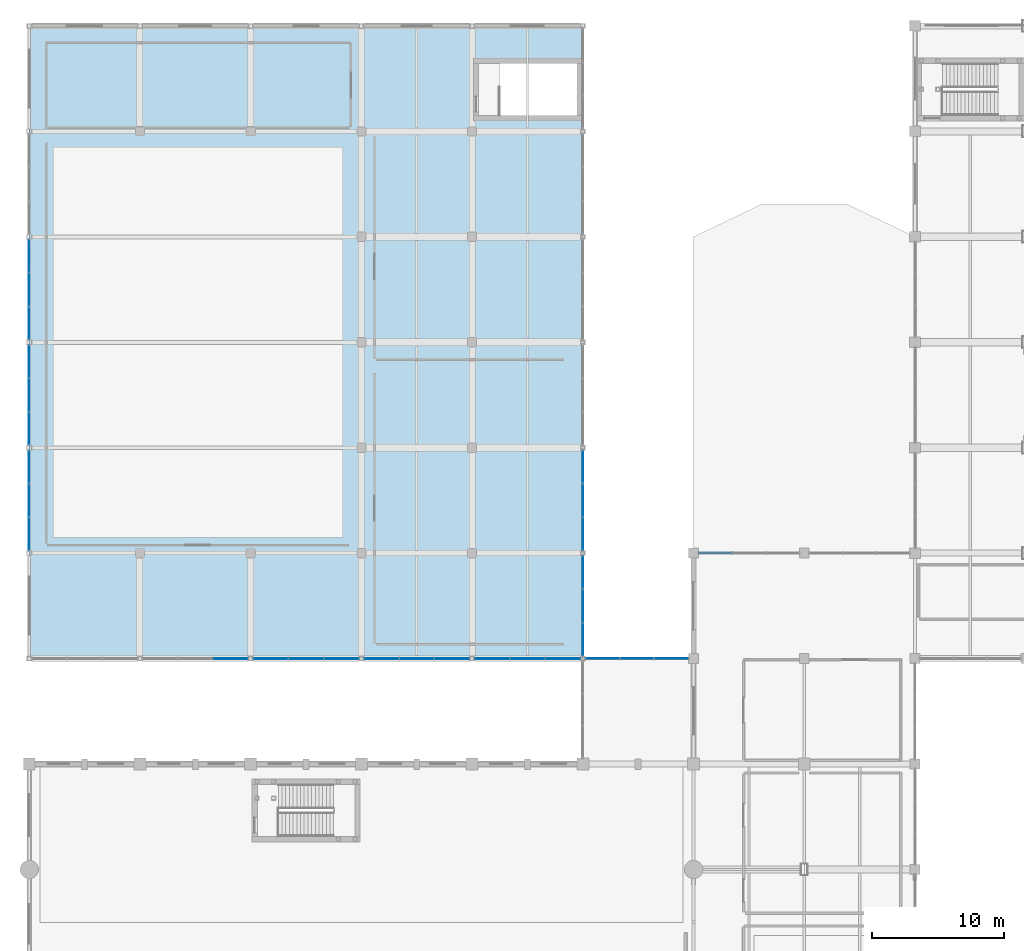
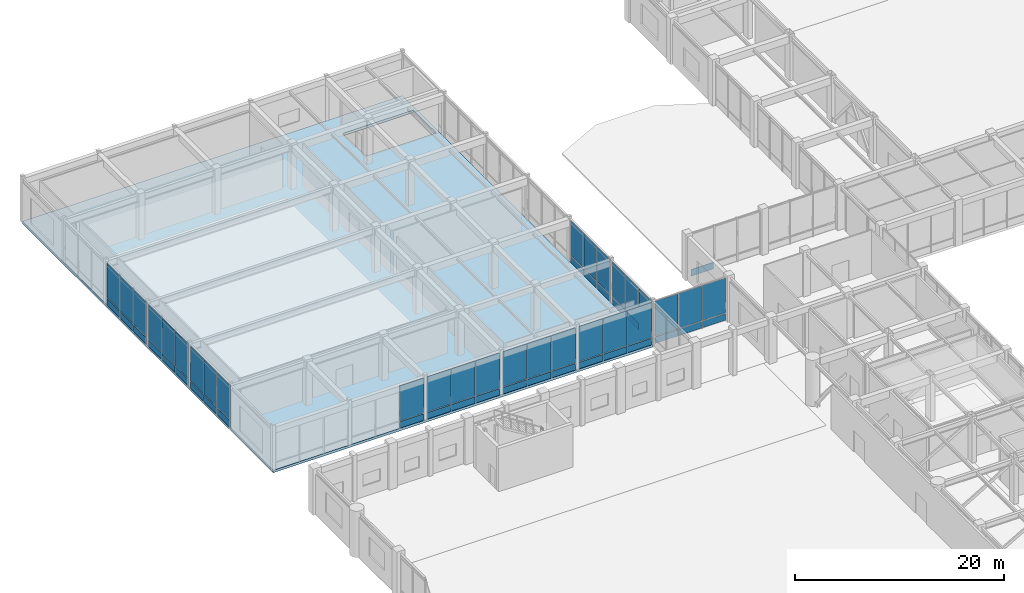
# One storey, part 51 of 79: 57 plates, 1 slab, 11 elements without a shape of their own.
"""IFC4 building model written with IfcOpenShell, lengths in metres."""

from ifc_helpers import new_model, si_unit, direction, frame, origin, origin_2d, place, context, subcontext, project, spatial, polyline, rectangle, outline, extrude, material, layer, layer_set, type_object, element, aggregate, save


model = new_model("IFC4")

# Units and contexts
model_context = context("Model", 3, precision=1e-05, world=origin(), true_north=direction((0.0, 1.0)))
body_context = subcontext(model_context, "Body", "Model", "MODEL_VIEW")
ifc_project = project(units=[si_unit("LENGTHUNIT", "METRE"), si_unit("AREAUNIT", "SQUARE_METRE"), si_unit("VOLUMEUNIT", "CUBIC_METRE"), si_unit("PLANEANGLEUNIT", "RADIAN"), si_unit("MASSUNIT", "GRAM", prefix="KILO")], contexts=[model_context])

# Site, building, storey
site_placement = place(None, origin())
site = spatial("IfcSite", under=ifc_project, at=site_placement, CompositionType="ELEMENT")
building_placement = place(site_placement, origin())
building = spatial("IfcBuilding", under=site, at=building_placement, Name="Naruveol Harbour Congress Hotel", CompositionType="ELEMENT")
storey_placement = place(building_placement, frame((0.0, 0.0, 6.0)))
storey = spatial("IfcBuildingStorey", under=building, at=storey_placement, Name="L01", CompositionType="ELEMENT", Elevation=6.0)

# Curtain wall, plates
ifc_material_1 = material(Name="Low-E Curtain Wall System", Category="glass")
ifc_layer_1 = layer(ifc_material_1, 0.179931640625)
ifc_layer_set_1 = layer_set([ifc_layer_1], Name="Low-E Curtain Wall System")
curtain_wall_type_1 = type_object("IfcCurtainWallType", Name="UNITISED CURTAIN WALL CW-SPLN-10 7850X5100", PredefinedType="USERDEFINED", material=ifc_layer_set_1)
curtain_wall_1_placement = place(storey_placement, origin())
curtain_wall_1 = element("IfcCurtainWall", 1, at=curtain_wall_1_placement, inside=storey, type_object=curtain_wall_type_1, Name="Unitised curtain wall CW-SPLN-10 L01", ObjectType="UNITISED GLAZING", PredefinedType="USERDEFINED")
ifc_material_2 = material(Name="Anodised Aluminium Spandrel", Category="aluminium")
ifc_layer_2 = layer(ifc_material_2, 0.054931640625)
ifc_layer_set_2 = layer_set([ifc_layer_2], Name="Anodised Aluminium Spandrel")
plate_type_1 = type_object("IfcPlateType", Name="INSULATED CERAMIC SPANDREL PANEL 55", PredefinedType="CURTAIN_PANEL", material=ifc_layer_set_2)
plate_1_placement = place(storey_placement, frame((43.4833984375, 64.010009765625, 0.0400390625), z_axis=(0.0, 0.0, 1.0), x_axis=(1.0, 0.0, 0.0)))
plate_1 = element("IfcPlate", 2, at=plate_1_placement, type_object=plate_type_1, Name="Curtain wall spandrel panel CW-L01-0011-PS0", PredefinedType="CURTAIN_PANEL", context=body_context, shape_type="SweptSolid", body=[
    extrude(rectangle(XDim=2.537109375, YDim=0.054931640625, at=origin_2d()), origin(), (0.0, 0.0, 1.0), 0.77001953125),
])
plate_2_placement = place(storey_placement, frame((46.10009765625, 64.010009765625, 0.0400390625), z_axis=(0.0, 0.0, 1.0), x_axis=(1.0, 0.0, 0.0)))
plate_2 = element("IfcPlate", 3, at=plate_2_placement, type_object=plate_type_1, Name="Curtain wall spandrel panel CW-L01-0011-PS1", PredefinedType="CURTAIN_PANEL", context=body_context, shape_type="SweptSolid", body=[
    extrude(rectangle(XDim=2.537109375, YDim=0.054931640625, at=origin_2d()), origin(), (0.0, 0.0, 1.0), 0.77001953125),
])
plate_3_placement = place(storey_placement, frame((48.716796875, 64.010009765625, 0.0400390625), z_axis=(0.0, 0.0, 1.0), x_axis=(1.0, 0.0, 0.0)))
plate_3 = element("IfcPlate", 4, at=plate_3_placement, type_object=plate_type_1, Name="Curtain wall spandrel panel CW-L01-0011-PS2", PredefinedType="CURTAIN_PANEL", context=body_context, shape_type="SweptSolid", body=[
    extrude(rectangle(XDim=2.537109375, YDim=0.054931640625, at=origin_2d()), origin(), (0.0, 0.0, 1.0), 0.77001953125),
])

ifc_material_3 = material(Name="Low-E Curtain Wall System", Category="glass")
ifc_layer_3 = layer(ifc_material_3, 0.179931640625)
ifc_layer_set_3 = layer_set([ifc_layer_3], Name="Low-E Curtain Wall System")
curtain_wall_type_2 = type_object("IfcCurtainWallType", Name="UNITISED CURTAIN WALL CW-V3P-13 7650X5100", PredefinedType="USERDEFINED", material=ifc_layer_set_3)
curtain_wall_2_placement = place(storey_placement, origin())
curtain_wall_2 = element("IfcCurtainWall", 5, at=curtain_wall_2_placement, inside=storey, type_object=curtain_wall_type_2, Name="Unitised curtain wall CW-V3P-13 L01", ObjectType="UNITISED GLAZING", PredefinedType="USERDEFINED")
plate_4_placement = place(storey_placement, frame((-0.010009765625, 73.449951171875, 0.0400390625), z_axis=(0.0, 0.0, 1.0), x_axis=(0.0, 1.0, 0.0)))
plate_4 = element("IfcPlate", 6, at=plate_4_placement, type_object=plate_type_1, Name="Curtain wall spandrel panel CW-L01-0018-PS0", PredefinedType="CURTAIN_PANEL", context=body_context, shape_type="SweptSolid", body=[
    extrude(rectangle(XDim=2.469970703125, YDim=0.054931640625, at=origin_2d()), origin(), (0.0, 0.0, 1.0), 0.77001953125),
])
plate_5_placement = place(storey_placement, frame((-0.010009765625, 76.0, 0.0400390625), z_axis=(0.0, 0.0, 1.0), x_axis=(0.0, 1.0, 0.0)))
plate_5 = element("IfcPlate", 7, at=plate_5_placement, type_object=plate_type_1, Name="Curtain wall spandrel panel CW-L01-0018-PS1", PredefinedType="CURTAIN_PANEL", context=body_context, shape_type="SweptSolid", body=[
    extrude(rectangle(XDim=2.469970703125, YDim=0.054931640625, at=origin_2d()), origin(), (0.0, 0.0, 1.0), 0.77001953125),
])
plate_6_placement = place(storey_placement, frame((-0.010009765625, 78.550048828125, 0.0400390625), z_axis=(0.0, 0.0, 1.0), x_axis=(0.0, 1.0, 0.0)))
plate_6 = element("IfcPlate", 8, at=plate_6_placement, type_object=plate_type_1, Name="Curtain wall spandrel panel CW-L01-0018-PS2", PredefinedType="CURTAIN_PANEL", context=body_context, shape_type="SweptSolid", body=[
    extrude(rectangle(XDim=2.469970703125, YDim=0.054931640625, at=origin_2d()), origin(), (0.0, 0.0, 1.0), 0.77001953125),
])

curtain_wall_3_placement = place(storey_placement, origin())
curtain_wall_3 = element("IfcCurtainWall", 9, at=curtain_wall_3_placement, inside=storey, type_object=curtain_wall_type_2, Name="Unitised curtain wall CW-V3P-13 L01", ObjectType="UNITISED GLAZING", PredefinedType="USERDEFINED")
plate_7_placement = place(storey_placement, frame((-0.010009765625, 81.449951171875, 0.0400390625), z_axis=(0.0, 0.0, 1.0), x_axis=(0.0, 1.0, 0.0)))
plate_7 = element("IfcPlate", 10, at=plate_7_placement, type_object=plate_type_1, Name="Curtain wall spandrel panel CW-L01-0019-PS0", PredefinedType="CURTAIN_PANEL", context=body_context, shape_type="SweptSolid", body=[
    extrude(rectangle(XDim=2.469970703125, YDim=0.054931640625, at=origin_2d()), origin(), (0.0, 0.0, 1.0), 0.77001953125),
])
plate_8_placement = place(storey_placement, frame((-0.010009765625, 84.0, 0.0400390625), z_axis=(0.0, 0.0, 1.0), x_axis=(0.0, 1.0, 0.0)))
plate_8 = element("IfcPlate", 11, at=plate_8_placement, type_object=plate_type_1, Name="Curtain wall spandrel panel CW-L01-0019-PS1", PredefinedType="CURTAIN_PANEL", context=body_context, shape_type="SweptSolid", body=[
    extrude(rectangle(XDim=2.469970703125, YDim=0.054931640625, at=origin_2d()), origin(), (0.0, 0.0, 1.0), 0.77001953125),
])
plate_9_placement = place(storey_placement, frame((-0.010009765625, 86.550048828125, 0.0400390625), z_axis=(0.0, 0.0, 1.0), x_axis=(0.0, 1.0, 0.0)))
plate_9 = element("IfcPlate", 12, at=plate_9_placement, type_object=plate_type_1, Name="Curtain wall spandrel panel CW-L01-0019-PS2", PredefinedType="CURTAIN_PANEL", context=body_context, shape_type="SweptSolid", body=[
    extrude(rectangle(XDim=2.469970703125, YDim=0.054931640625, at=origin_2d()), origin(), (0.0, 0.0, 1.0), 0.77001953125),
])

curtain_wall_4_placement = place(storey_placement, origin())
curtain_wall_4 = element("IfcCurtainWall", 13, at=curtain_wall_4_placement, inside=storey, type_object=curtain_wall_type_2, Name="Unitised curtain wall CW-V3P-13 L01", ObjectType="UNITISED GLAZING", PredefinedType="USERDEFINED")
plate_10_placement = place(storey_placement, frame((-0.010009765625, 89.449951171875, 0.0400390625), z_axis=(0.0, 0.0, 1.0), x_axis=(0.0, 1.0, 0.0)))
plate_10 = element("IfcPlate", 14, at=plate_10_placement, type_object=plate_type_1, Name="Curtain wall spandrel panel CW-L01-0020-PS0", PredefinedType="CURTAIN_PANEL", context=body_context, shape_type="SweptSolid", body=[
    extrude(rectangle(XDim=2.469970703125, YDim=0.054931640625, at=origin_2d()), origin(), (0.0, 0.0, 1.0), 0.77001953125),
])
plate_11_placement = place(storey_placement, frame((-0.010009765625, 92.0, 0.0400390625), z_axis=(0.0, 0.0, 1.0), x_axis=(0.0, 1.0, 0.0)))
plate_11 = element("IfcPlate", 15, at=plate_11_placement, type_object=plate_type_1, Name="Curtain wall spandrel panel CW-L01-0020-PS1", PredefinedType="CURTAIN_PANEL", context=body_context, shape_type="SweptSolid", body=[
    extrude(rectangle(XDim=2.469970703125, YDim=0.054931640625, at=origin_2d()), origin(), (0.0, 0.0, 1.0), 0.77001953125),
])
plate_12_placement = place(storey_placement, frame((-0.010009765625, 94.550048828125, 0.0400390625), z_axis=(0.0, 0.0, 1.0), x_axis=(0.0, 1.0, 0.0)))
plate_12 = element("IfcPlate", 16, at=plate_12_placement, type_object=plate_type_1, Name="Curtain wall spandrel panel CW-L01-0020-PS2", PredefinedType="CURTAIN_PANEL", context=body_context, shape_type="SweptSolid", body=[
    extrude(rectangle(XDim=2.469970703125, YDim=0.054931640625, at=origin_2d()), origin(), (0.0, 0.0, 1.0), 0.77001953125),
])

ifc_material_4 = material(Name="Low-E Curtain Wall System", Category="glass")
ifc_layer_4 = layer(ifc_material_4, 0.179931640625)
ifc_layer_set_4 = layer_set([ifc_layer_4], Name="Low-E Curtain Wall System")
curtain_wall_type_3 = type_object("IfcCurtainWallType", Name="UNITISED CURTAIN WALL CW-V3S-14 8050X5100", PredefinedType="USERDEFINED", material=ifc_layer_set_4)
curtain_wall_5_placement = place(storey_placement, origin())
curtain_wall_5 = element("IfcCurtainWall", 17, at=curtain_wall_5_placement, inside=storey, type_object=curtain_wall_type_3, Name="Unitised curtain wall CW-V3S-14 L01", ObjectType="UNITISED GLAZING", PredefinedType="USERDEFINED")
plate_13_placement = place(storey_placement, frame((40.4833984375, 63.989990234375, 0.0400390625), z_axis=(0.0, 0.0, 1.0), x_axis=(-1.0, 0.0, 0.0)))
plate_13 = element("IfcPlate", 18, at=plate_13_placement, type_object=plate_type_1, Name="Curtain wall spandrel panel CW-L01-0022-PS0", PredefinedType="CURTAIN_PANEL", context=body_context, shape_type="SweptSolid", body=[
    extrude(rectangle(XDim=2.60302734375, YDim=0.054931640625, at=origin_2d()), origin(), (0.0, 0.0, 1.0), 0.77001953125),
])
plate_14_placement = place(storey_placement, frame((37.800048828125, 63.989990234375, 0.0400390625), z_axis=(0.0, 0.0, 1.0), x_axis=(-1.0, 0.0, 0.0)))
plate_14 = element("IfcPlate", 19, at=plate_14_placement, type_object=plate_type_1, Name="Curtain wall spandrel panel CW-L01-0022-PS1", PredefinedType="CURTAIN_PANEL", context=body_context, shape_type="SweptSolid", body=[
    extrude(rectangle(XDim=2.60302734375, YDim=0.054931640625, at=origin_2d()), origin(), (0.0, 0.0, 1.0), 0.77001953125),
])
plate_15_placement = place(storey_placement, frame((35.11669921875, 63.989990234375, 0.0400390625), z_axis=(0.0, 0.0, 1.0), x_axis=(-1.0, 0.0, 0.0)))
plate_15 = element("IfcPlate", 20, at=plate_15_placement, type_object=plate_type_1, Name="Curtain wall spandrel panel CW-L01-0022-PS2", PredefinedType="CURTAIN_PANEL", context=body_context, shape_type="SweptSolid", body=[
    extrude(rectangle(XDim=2.60302734375, YDim=0.054931640625, at=origin_2d()), origin(), (0.0, 0.0, 1.0), 0.77001953125),
])

curtain_wall_6_placement = place(storey_placement, origin())
curtain_wall_6 = element("IfcCurtainWall", 21, at=curtain_wall_6_placement, inside=storey, type_object=curtain_wall_type_3, Name="Unitised curtain wall CW-V3S-14 L01", ObjectType="UNITISED GLAZING", PredefinedType="USERDEFINED")
plate_16_placement = place(storey_placement, frame((32.083251953125, 63.989990234375, 0.0400390625), z_axis=(0.0, 0.0, 1.0), x_axis=(-1.0, 0.0, 0.0)))
plate_16 = element("IfcPlate", 22, at=plate_16_placement, type_object=plate_type_1, Name="Curtain wall spandrel panel CW-L01-0023-PS0", PredefinedType="CURTAIN_PANEL", context=body_context, shape_type="SweptSolid", body=[
    extrude(rectangle(XDim=2.60302734375, YDim=0.054931640625, at=origin_2d()), origin(), (0.0, 0.0, 1.0), 0.77001953125),
])
plate_17_placement = place(storey_placement, frame((29.39990234375, 63.989990234375, 0.0400390625), z_axis=(0.0, 0.0, 1.0), x_axis=(-1.0, 0.0, 0.0)))
plate_17 = element("IfcPlate", 23, at=plate_17_placement, type_object=plate_type_1, Name="Curtain wall spandrel panel CW-L01-0023-PS1", PredefinedType="CURTAIN_PANEL", context=body_context, shape_type="SweptSolid", body=[
    extrude(rectangle(XDim=2.60302734375, YDim=0.054931640625, at=origin_2d()), origin(), (0.0, 0.0, 1.0), 0.77001953125),
])
plate_18_placement = place(storey_placement, frame((26.716796875, 63.989990234375, 0.0400390625), z_axis=(0.0, 0.0, 1.0), x_axis=(-1.0, 0.0, 0.0)))
plate_18 = element("IfcPlate", 24, at=plate_18_placement, type_object=plate_type_1, Name="Curtain wall spandrel panel CW-L01-0023-PS2", PredefinedType="CURTAIN_PANEL", context=body_context, shape_type="SweptSolid", body=[
    extrude(rectangle(XDim=2.60302734375, YDim=0.054931640625, at=origin_2d()), origin(), (0.0, 0.0, 1.0), 0.77001953125),
])

curtain_wall_7_placement = place(storey_placement, origin())
curtain_wall_7 = element("IfcCurtainWall", 25, at=curtain_wall_7_placement, inside=storey, type_object=curtain_wall_type_3, Name="Unitised curtain wall CW-V3S-14 L01", ObjectType="UNITISED GLAZING", PredefinedType="USERDEFINED")
plate_19_placement = place(storey_placement, frame((23.683349609375, 63.989990234375, 0.0400390625), z_axis=(0.0, 0.0, 1.0), x_axis=(-1.0, 0.0, 0.0)))
plate_19 = element("IfcPlate", 26, at=plate_19_placement, type_object=plate_type_1, Name="Curtain wall spandrel panel CW-L01-0024-PS0", PredefinedType="CURTAIN_PANEL", context=body_context, shape_type="SweptSolid", body=[
    extrude(rectangle(XDim=2.60302734375, YDim=0.054931640625, at=origin_2d()), origin(), (0.0, 0.0, 1.0), 0.77001953125),
])
plate_20_placement = place(storey_placement, frame((21.0, 63.989990234375, 0.0400390625), z_axis=(0.0, 0.0, 1.0), x_axis=(-1.0, 0.0, 0.0)))
plate_20 = element("IfcPlate", 27, at=plate_20_placement, type_object=plate_type_1, Name="Curtain wall spandrel panel CW-L01-0024-PS1", PredefinedType="CURTAIN_PANEL", context=body_context, shape_type="SweptSolid", body=[
    extrude(rectangle(XDim=2.60302734375, YDim=0.054931640625, at=origin_2d()), origin(), (0.0, 0.0, 1.0), 0.77001953125),
])
plate_21_placement = place(storey_placement, frame((18.316650390625, 63.989990234375, 0.0400390625), z_axis=(0.0, 0.0, 1.0), x_axis=(-1.0, 0.0, 0.0)))
plate_21 = element("IfcPlate", 28, at=plate_21_placement, type_object=plate_type_1, Name="Curtain wall spandrel panel CW-L01-0024-PS2", PredefinedType="CURTAIN_PANEL", context=body_context, shape_type="SweptSolid", body=[
    extrude(rectangle(XDim=2.60302734375, YDim=0.054931640625, at=origin_2d()), origin(), (0.0, 0.0, 1.0), 0.77001953125),
])

# Curtain wall, plate
curtain_wall_8_placement = place(storey_placement, origin())
curtain_wall_8 = element("IfcCurtainWall", 29, at=curtain_wall_8_placement, inside=storey, type_object=curtain_wall_type_3, Name="Unitised curtain wall CW-V3S-14 L01", ObjectType="UNITISED GLAZING", PredefinedType="USERDEFINED")
plate_22_placement = place(storey_placement, frame((15.283203125, 63.989990234375, 0.0400390625), z_axis=(0.0, 0.0, 1.0), x_axis=(-1.0, 0.0, 0.0)))
plate_22 = element("IfcPlate", 30, at=plate_22_placement, type_object=plate_type_1, Name="Curtain wall spandrel panel CW-L01-0025-PS0", PredefinedType="CURTAIN_PANEL", context=body_context, shape_type="SweptSolid", body=[
    extrude(rectangle(XDim=2.60302734375, YDim=0.054931640625, at=origin_2d()), origin(), (0.0, 0.0, 1.0), 0.77001953125),
])

# Curtain wall, plates
ifc_material_5 = material(Name="Low-E Curtain Wall System", Category="glass")
ifc_layer_5 = layer(ifc_material_5, 0.179931640625)
ifc_layer_set_5 = layer_set([ifc_layer_5], Name="Low-E Curtain Wall System")
curtain_wall_type_4 = type_object("IfcCurtainWallType", Name="UNITISED CURTAIN WALL CW-V3E-15 7650X5100", PredefinedType="USERDEFINED", material=ifc_layer_set_5)
curtain_wall_9_placement = place(storey_placement, origin())
curtain_wall_9 = element("IfcCurtainWall", 31, at=curtain_wall_9_placement, inside=storey, type_object=curtain_wall_type_4, Name="Unitised curtain wall CW-V3E-15 L01", ObjectType="UNITISED GLAZING", PredefinedType="USERDEFINED")
plate_23_placement = place(storey_placement, frame((42.010009765625, 70.550048828125, 0.0400390625), z_axis=(0.0, 0.0, 1.0), x_axis=(0.0, -1.0, 0.0)))
plate_23 = element("IfcPlate", 32, at=plate_23_placement, type_object=plate_type_1, Name="Curtain wall spandrel panel CW-L01-0027-PS0", PredefinedType="CURTAIN_PANEL", context=body_context, shape_type="SweptSolid", body=[
    extrude(rectangle(XDim=2.469970703125, YDim=0.054931640625, at=origin_2d()), origin(), (0.0, 0.0, 1.0), 0.77001953125),
])
plate_24_placement = place(storey_placement, frame((42.010009765625, 68.0, 0.0400390625), z_axis=(0.0, 0.0, 1.0), x_axis=(0.0, -1.0, 0.0)))
plate_24 = element("IfcPlate", 33, at=plate_24_placement, type_object=plate_type_1, Name="Curtain wall spandrel panel CW-L01-0027-PS1", PredefinedType="CURTAIN_PANEL", context=body_context, shape_type="SweptSolid", body=[
    extrude(rectangle(XDim=2.469970703125, YDim=0.054931640625, at=origin_2d()), origin(), (0.0, 0.0, 1.0), 0.77001953125),
])
plate_25_placement = place(storey_placement, frame((42.010009765625, 65.449951171875, 0.0400390625), z_axis=(0.0, 0.0, 1.0), x_axis=(0.0, -1.0, 0.0)))
plate_25 = element("IfcPlate", 34, at=plate_25_placement, type_object=plate_type_1, Name="Curtain wall spandrel panel CW-L01-0027-PS2", PredefinedType="CURTAIN_PANEL", context=body_context, shape_type="SweptSolid", body=[
    extrude(rectangle(XDim=2.469970703125, YDim=0.054931640625, at=origin_2d()), origin(), (0.0, 0.0, 1.0), 0.77001953125),
])

curtain_wall_10_placement = place(storey_placement, origin())
curtain_wall_10 = element("IfcCurtainWall", 35, at=curtain_wall_10_placement, inside=storey, type_object=curtain_wall_type_4, Name="Unitised curtain wall CW-V3E-15 L01", ObjectType="UNITISED GLAZING", PredefinedType="USERDEFINED")
plate_26_placement = place(storey_placement, frame((42.010009765625, 78.550048828125, 0.0400390625), z_axis=(0.0, 0.0, 1.0), x_axis=(0.0, -1.0, 0.0)))
plate_26 = element("IfcPlate", 36, at=plate_26_placement, type_object=plate_type_1, Name="Curtain wall spandrel panel CW-L01-0028-PS0", PredefinedType="CURTAIN_PANEL", context=body_context, shape_type="SweptSolid", body=[
    extrude(rectangle(XDim=2.469970703125, YDim=0.054931640625, at=origin_2d()), origin(), (0.0, 0.0, 1.0), 0.77001953125),
])
plate_27_placement = place(storey_placement, frame((42.010009765625, 76.0, 0.0400390625), z_axis=(0.0, 0.0, 1.0), x_axis=(0.0, -1.0, 0.0)))
plate_27 = element("IfcPlate", 37, at=plate_27_placement, type_object=plate_type_1, Name="Curtain wall spandrel panel CW-L01-0028-PS1", PredefinedType="CURTAIN_PANEL", context=body_context, shape_type="SweptSolid", body=[
    extrude(rectangle(XDim=2.469970703125, YDim=0.054931640625, at=origin_2d()), origin(), (0.0, 0.0, 1.0), 0.77001953125),
])
plate_28_placement = place(storey_placement, frame((42.010009765625, 73.449951171875, 0.0400390625), z_axis=(0.0, 0.0, 1.0), x_axis=(0.0, -1.0, 0.0)))
plate_28 = element("IfcPlate", 38, at=plate_28_placement, type_object=plate_type_1, Name="Curtain wall spandrel panel CW-L01-0028-PS2", PredefinedType="CURTAIN_PANEL", context=body_context, shape_type="SweptSolid", body=[
    extrude(rectangle(XDim=2.469970703125, YDim=0.054931640625, at=origin_2d()), origin(), (0.0, 0.0, 1.0), 0.77001953125),
])

# Curtain wall, plate
ifc_material_6 = material(Name="Low-E Curtain Wall System", Category="glass")
ifc_layer_6 = layer(ifc_material_6, 0.179931640625)
ifc_layer_set_6 = layer_set([ifc_layer_6], Name="Low-E Curtain Wall System")
curtain_wall_type_5 = type_object("IfcCurtainWallType", Name="UNITISED CURTAIN WALL CW-V4NF-32 7650X5100", PredefinedType="USERDEFINED", material=ifc_layer_set_6)
curtain_wall_11_placement = place(storey_placement, origin())
curtain_wall_11 = element("IfcCurtainWall", 39, at=curtain_wall_11_placement, inside=storey, type_object=curtain_wall_type_5, Name="Unitised curtain wall CW-V4NF-32 L01", ObjectType="UNITISED GLAZING", PredefinedType="USERDEFINED")
plate_29_placement = place(storey_placement, frame((52.050048828125, 72.010009765625, 0.0400390625), z_axis=(0.0, 0.0, 1.0), x_axis=(1.0, 0.0, 0.0)))
plate_29 = element("IfcPlate", 40, at=plate_29_placement, type_object=plate_type_1, Name="Curtain wall spandrel panel CW-L01-0076-PS0", PredefinedType="CURTAIN_PANEL", context=body_context, shape_type="SweptSolid", body=[
    extrude(rectangle(XDim=2.469970703125, YDim=0.054931640625, at=origin_2d()), origin(), (0.0, 0.0, 1.0), 0.77001953125),
])
aggregate(curtain_wall_11, [plate_29])

# Plate
ifc_material_7 = material(Name="Low-E Insulated Glass", Category="glass")
ifc_layer_7 = layer(ifc_material_7, 0.0419921875)
ifc_layer_set_7 = layer_set([ifc_layer_7], Name="Low-E Insulated Glass")
plate_type_2 = type_object("IfcPlateType", Name="LOW-E TRIPLE GLAZED CURTAIN PANEL 42", PredefinedType="CURTAIN_PANEL", material=ifc_layer_set_7)
plate_30_placement = place(storey_placement, frame((43.4833984375, 64.010009765625, 0.89013671875), z_axis=(0.0, 0.0, 1.0), x_axis=(1.0, 0.0, 0.0)))
plate_30 = element("IfcPlate", 41, at=plate_30_placement, type_object=plate_type_2, Name="Curtain wall vision panel CW-L01-0011-PG0", PredefinedType="CURTAIN_PANEL", context=body_context, shape_type="SweptSolid", body=[
    extrude(rectangle(XDim=2.537109375, YDim=0.0419921875, at=origin_2d()), origin(), (0.0, 0.0, 1.0), 4.090087890625),
])

plate_31_placement = place(storey_placement, frame((46.10009765625, 64.010009765625, 0.89013671875), z_axis=(0.0, 0.0, 1.0), x_axis=(1.0, 0.0, 0.0)))
plate_31 = element("IfcPlate", 42, at=plate_31_placement, type_object=plate_type_2, Name="Curtain wall vision panel CW-L01-0011-PG1", PredefinedType="CURTAIN_PANEL", context=body_context, shape_type="SweptSolid", body=[
    extrude(rectangle(XDim=2.537109375, YDim=0.0419921875, at=origin_2d()), origin(), (0.0, 0.0, 1.0), 4.090087890625),
])

plate_32_placement = place(storey_placement, frame((48.716796875, 64.010009765625, 0.89013671875), z_axis=(0.0, 0.0, 1.0), x_axis=(1.0, 0.0, 0.0)))
plate_32 = element("IfcPlate", 43, at=plate_32_placement, type_object=plate_type_2, Name="Curtain wall vision panel CW-L01-0011-PG2", PredefinedType="CURTAIN_PANEL", context=body_context, shape_type="SweptSolid", body=[
    extrude(rectangle(XDim=2.537109375, YDim=0.0419921875, at=origin_2d()), origin(), (0.0, 0.0, 1.0), 4.090087890625),
])

aggregate(curtain_wall_1, [plate_1, plate_30, plate_2, plate_31, plate_3, plate_32])

plate_33_placement = place(storey_placement, frame((-0.010009765625, 73.449951171875, 0.89013671875), z_axis=(0.0, 0.0, 1.0), x_axis=(0.0, 1.0, 0.0)))
plate_33 = element("IfcPlate", 44, at=plate_33_placement, type_object=plate_type_2, Name="Curtain wall vision panel CW-L01-0018-PG0", PredefinedType="CURTAIN_PANEL", context=body_context, shape_type="SweptSolid", body=[
    extrude(rectangle(XDim=2.469970703125, YDim=0.0419921875, at=origin_2d()), origin(), (0.0, 0.0, 1.0), 4.090087890625),
])

plate_34_placement = place(storey_placement, frame((-0.010009765625, 76.0, 0.89013671875), z_axis=(0.0, 0.0, 1.0), x_axis=(0.0, 1.0, 0.0)))
plate_34 = element("IfcPlate", 45, at=plate_34_placement, type_object=plate_type_2, Name="Curtain wall vision panel CW-L01-0018-PG1", PredefinedType="CURTAIN_PANEL", context=body_context, shape_type="SweptSolid", body=[
    extrude(rectangle(XDim=2.469970703125, YDim=0.0419921875, at=origin_2d()), origin(), (0.0, 0.0, 1.0), 4.090087890625),
])

plate_35_placement = place(storey_placement, frame((-0.010009765625, 78.550048828125, 0.89013671875), z_axis=(0.0, 0.0, 1.0), x_axis=(0.0, 1.0, 0.0)))
plate_35 = element("IfcPlate", 46, at=plate_35_placement, type_object=plate_type_2, Name="Curtain wall vision panel CW-L01-0018-PG2", PredefinedType="CURTAIN_PANEL", context=body_context, shape_type="SweptSolid", body=[
    extrude(rectangle(XDim=2.469970703125, YDim=0.0419921875, at=origin_2d()), origin(), (0.0, 0.0, 1.0), 4.090087890625),
])

aggregate(curtain_wall_2, [plate_4, plate_33, plate_5, plate_34, plate_6, plate_35])

plate_36_placement = place(storey_placement, frame((-0.010009765625, 81.449951171875, 0.89013671875), z_axis=(0.0, 0.0, 1.0), x_axis=(0.0, 1.0, 0.0)))
plate_36 = element("IfcPlate", 47, at=plate_36_placement, type_object=plate_type_2, Name="Curtain wall vision panel CW-L01-0019-PG0", PredefinedType="CURTAIN_PANEL", context=body_context, shape_type="SweptSolid", body=[
    extrude(rectangle(XDim=2.469970703125, YDim=0.0419921875, at=origin_2d()), origin(), (0.0, 0.0, 1.0), 4.090087890625),
])

plate_37_placement = place(storey_placement, frame((-0.010009765625, 84.0, 0.89013671875), z_axis=(0.0, 0.0, 1.0), x_axis=(0.0, 1.0, 0.0)))
plate_37 = element("IfcPlate", 48, at=plate_37_placement, type_object=plate_type_2, Name="Curtain wall vision panel CW-L01-0019-PG1", PredefinedType="CURTAIN_PANEL", context=body_context, shape_type="SweptSolid", body=[
    extrude(rectangle(XDim=2.469970703125, YDim=0.0419921875, at=origin_2d()), origin(), (0.0, 0.0, 1.0), 4.090087890625),
])

plate_38_placement = place(storey_placement, frame((-0.010009765625, 86.550048828125, 0.89013671875), z_axis=(0.0, 0.0, 1.0), x_axis=(0.0, 1.0, 0.0)))
plate_38 = element("IfcPlate", 49, at=plate_38_placement, type_object=plate_type_2, Name="Curtain wall vision panel CW-L01-0019-PG2", PredefinedType="CURTAIN_PANEL", context=body_context, shape_type="SweptSolid", body=[
    extrude(rectangle(XDim=2.469970703125, YDim=0.0419921875, at=origin_2d()), origin(), (0.0, 0.0, 1.0), 4.090087890625),
])

aggregate(curtain_wall_3, [plate_7, plate_36, plate_8, plate_37, plate_9, plate_38])

plate_39_placement = place(storey_placement, frame((-0.010009765625, 89.449951171875, 0.89013671875), z_axis=(0.0, 0.0, 1.0), x_axis=(0.0, 1.0, 0.0)))
plate_39 = element("IfcPlate", 50, at=plate_39_placement, type_object=plate_type_2, Name="Curtain wall vision panel CW-L01-0020-PG0", PredefinedType="CURTAIN_PANEL", context=body_context, shape_type="SweptSolid", body=[
    extrude(rectangle(XDim=2.469970703125, YDim=0.0419921875, at=origin_2d()), origin(), (0.0, 0.0, 1.0), 4.090087890625),
])

plate_40_placement = place(storey_placement, frame((-0.010009765625, 92.0, 0.89013671875), z_axis=(0.0, 0.0, 1.0), x_axis=(0.0, 1.0, 0.0)))
plate_40 = element("IfcPlate", 51, at=plate_40_placement, type_object=plate_type_2, Name="Curtain wall vision panel CW-L01-0020-PG1", PredefinedType="CURTAIN_PANEL", context=body_context, shape_type="SweptSolid", body=[
    extrude(rectangle(XDim=2.469970703125, YDim=0.0419921875, at=origin_2d()), origin(), (0.0, 0.0, 1.0), 4.090087890625),
])

plate_41_placement = place(storey_placement, frame((-0.010009765625, 94.550048828125, 0.89013671875), z_axis=(0.0, 0.0, 1.0), x_axis=(0.0, 1.0, 0.0)))
plate_41 = element("IfcPlate", 52, at=plate_41_placement, type_object=plate_type_2, Name="Curtain wall vision panel CW-L01-0020-PG2", PredefinedType="CURTAIN_PANEL", context=body_context, shape_type="SweptSolid", body=[
    extrude(rectangle(XDim=2.469970703125, YDim=0.0419921875, at=origin_2d()), origin(), (0.0, 0.0, 1.0), 4.090087890625),
])

aggregate(curtain_wall_4, [plate_10, plate_39, plate_11, plate_40, plate_12, plate_41])

plate_42_placement = place(storey_placement, frame((40.4833984375, 63.989990234375, 0.89013671875), z_axis=(0.0, 0.0, 1.0), x_axis=(-1.0, 0.0, 0.0)))
plate_42 = element("IfcPlate", 53, at=plate_42_placement, type_object=plate_type_2, Name="Curtain wall vision panel CW-L01-0022-PG0", PredefinedType="CURTAIN_PANEL", context=body_context, shape_type="SweptSolid", body=[
    extrude(rectangle(XDim=2.60302734375, YDim=0.0419921875, at=origin_2d()), origin(), (0.0, 0.0, 1.0), 4.090087890625),
])

plate_43_placement = place(storey_placement, frame((37.800048828125, 63.989990234375, 0.89013671875), z_axis=(0.0, 0.0, 1.0), x_axis=(-1.0, 0.0, 0.0)))
plate_43 = element("IfcPlate", 54, at=plate_43_placement, type_object=plate_type_2, Name="Curtain wall vision panel CW-L01-0022-PG1", PredefinedType="CURTAIN_PANEL", context=body_context, shape_type="SweptSolid", body=[
    extrude(rectangle(XDim=2.60302734375, YDim=0.0419921875, at=origin_2d()), origin(), (0.0, 0.0, 1.0), 4.090087890625),
])

plate_44_placement = place(storey_placement, frame((35.11669921875, 63.989990234375, 0.89013671875), z_axis=(0.0, 0.0, 1.0), x_axis=(-1.0, 0.0, 0.0)))
plate_44 = element("IfcPlate", 55, at=plate_44_placement, type_object=plate_type_2, Name="Curtain wall vision panel CW-L01-0022-PG2", PredefinedType="CURTAIN_PANEL", context=body_context, shape_type="SweptSolid", body=[
    extrude(rectangle(XDim=2.60302734375, YDim=0.0419921875, at=origin_2d()), origin(), (0.0, 0.0, 1.0), 4.090087890625),
])

aggregate(curtain_wall_5, [plate_13, plate_42, plate_14, plate_43, plate_15, plate_44])

plate_45_placement = place(storey_placement, frame((32.083251953125, 63.989990234375, 0.89013671875), z_axis=(0.0, 0.0, 1.0), x_axis=(-1.0, 0.0, 0.0)))
plate_45 = element("IfcPlate", 56, at=plate_45_placement, type_object=plate_type_2, Name="Curtain wall vision panel CW-L01-0023-PG0", PredefinedType="CURTAIN_PANEL", context=body_context, shape_type="SweptSolid", body=[
    extrude(rectangle(XDim=2.60302734375, YDim=0.0419921875, at=origin_2d()), origin(), (0.0, 0.0, 1.0), 4.090087890625),
])

plate_46_placement = place(storey_placement, frame((29.39990234375, 63.989990234375, 0.89013671875), z_axis=(0.0, 0.0, 1.0), x_axis=(-1.0, 0.0, 0.0)))
plate_46 = element("IfcPlate", 57, at=plate_46_placement, type_object=plate_type_2, Name="Curtain wall vision panel CW-L01-0023-PG1", PredefinedType="CURTAIN_PANEL", context=body_context, shape_type="SweptSolid", body=[
    extrude(rectangle(XDim=2.60302734375, YDim=0.0419921875, at=origin_2d()), origin(), (0.0, 0.0, 1.0), 4.090087890625),
])

plate_47_placement = place(storey_placement, frame((26.716796875, 63.989990234375, 0.89013671875), z_axis=(0.0, 0.0, 1.0), x_axis=(-1.0, 0.0, 0.0)))
plate_47 = element("IfcPlate", 58, at=plate_47_placement, type_object=plate_type_2, Name="Curtain wall vision panel CW-L01-0023-PG2", PredefinedType="CURTAIN_PANEL", context=body_context, shape_type="SweptSolid", body=[
    extrude(rectangle(XDim=2.60302734375, YDim=0.0419921875, at=origin_2d()), origin(), (0.0, 0.0, 1.0), 4.090087890625),
])

aggregate(curtain_wall_6, [plate_16, plate_45, plate_17, plate_46, plate_18, plate_47])

plate_48_placement = place(storey_placement, frame((23.683349609375, 63.989990234375, 0.89013671875), z_axis=(0.0, 0.0, 1.0), x_axis=(-1.0, 0.0, 0.0)))
plate_48 = element("IfcPlate", 59, at=plate_48_placement, type_object=plate_type_2, Name="Curtain wall vision panel CW-L01-0024-PG0", PredefinedType="CURTAIN_PANEL", context=body_context, shape_type="SweptSolid", body=[
    extrude(rectangle(XDim=2.60302734375, YDim=0.0419921875, at=origin_2d()), origin(), (0.0, 0.0, 1.0), 4.090087890625),
])

plate_49_placement = place(storey_placement, frame((21.0, 63.989990234375, 0.89013671875), z_axis=(0.0, 0.0, 1.0), x_axis=(-1.0, 0.0, 0.0)))
plate_49 = element("IfcPlate", 60, at=plate_49_placement, type_object=plate_type_2, Name="Curtain wall vision panel CW-L01-0024-PG1", PredefinedType="CURTAIN_PANEL", context=body_context, shape_type="SweptSolid", body=[
    extrude(rectangle(XDim=2.60302734375, YDim=0.0419921875, at=origin_2d()), origin(), (0.0, 0.0, 1.0), 4.090087890625),
])

plate_50_placement = place(storey_placement, frame((18.316650390625, 63.989990234375, 0.89013671875), z_axis=(0.0, 0.0, 1.0), x_axis=(-1.0, 0.0, 0.0)))
plate_50 = element("IfcPlate", 61, at=plate_50_placement, type_object=plate_type_2, Name="Curtain wall vision panel CW-L01-0024-PG2", PredefinedType="CURTAIN_PANEL", context=body_context, shape_type="SweptSolid", body=[
    extrude(rectangle(XDim=2.60302734375, YDim=0.0419921875, at=origin_2d()), origin(), (0.0, 0.0, 1.0), 4.090087890625),
])

aggregate(curtain_wall_7, [plate_19, plate_48, plate_20, plate_49, plate_21, plate_50])

plate_51_placement = place(storey_placement, frame((15.283203125, 63.989990234375, 0.89013671875), z_axis=(0.0, 0.0, 1.0), x_axis=(-1.0, 0.0, 0.0)))
plate_51 = element("IfcPlate", 62, at=plate_51_placement, type_object=plate_type_2, Name="Curtain wall vision panel CW-L01-0025-PG0", PredefinedType="CURTAIN_PANEL", context=body_context, shape_type="SweptSolid", body=[
    extrude(rectangle(XDim=2.60302734375, YDim=0.0419921875, at=origin_2d()), origin(), (0.0, 0.0, 1.0), 4.090087890625),
])

aggregate(curtain_wall_8, [plate_22, plate_51])

plate_52_placement = place(storey_placement, frame((42.010009765625, 70.550048828125, 0.89013671875), z_axis=(0.0, 0.0, 1.0), x_axis=(0.0, -1.0, 0.0)))
plate_52 = element("IfcPlate", 63, at=plate_52_placement, type_object=plate_type_2, Name="Curtain wall vision panel CW-L01-0027-PG0", PredefinedType="CURTAIN_PANEL", context=body_context, shape_type="SweptSolid", body=[
    extrude(rectangle(XDim=2.469970703125, YDim=0.0419921875, at=origin_2d()), origin(), (0.0, 0.0, 1.0), 4.090087890625),
])

plate_53_placement = place(storey_placement, frame((42.010009765625, 68.0, 0.89013671875), z_axis=(0.0, 0.0, 1.0), x_axis=(0.0, -1.0, 0.0)))
plate_53 = element("IfcPlate", 64, at=plate_53_placement, type_object=plate_type_2, Name="Curtain wall vision panel CW-L01-0027-PG1", PredefinedType="CURTAIN_PANEL", context=body_context, shape_type="SweptSolid", body=[
    extrude(rectangle(XDim=2.469970703125, YDim=0.0419921875, at=origin_2d()), origin(), (0.0, 0.0, 1.0), 4.090087890625),
])

plate_54_placement = place(storey_placement, frame((42.010009765625, 65.449951171875, 0.89013671875), z_axis=(0.0, 0.0, 1.0), x_axis=(0.0, -1.0, 0.0)))
plate_54 = element("IfcPlate", 65, at=plate_54_placement, type_object=plate_type_2, Name="Curtain wall vision panel CW-L01-0027-PG2", PredefinedType="CURTAIN_PANEL", context=body_context, shape_type="SweptSolid", body=[
    extrude(rectangle(XDim=2.469970703125, YDim=0.0419921875, at=origin_2d()), origin(), (0.0, 0.0, 1.0), 4.090087890625),
])

aggregate(curtain_wall_9, [plate_23, plate_52, plate_24, plate_53, plate_25, plate_54])

plate_55_placement = place(storey_placement, frame((42.010009765625, 78.550048828125, 0.89013671875), z_axis=(0.0, 0.0, 1.0), x_axis=(0.0, -1.0, 0.0)))
plate_55 = element("IfcPlate", 66, at=plate_55_placement, type_object=plate_type_2, Name="Curtain wall vision panel CW-L01-0028-PG0", PredefinedType="CURTAIN_PANEL", context=body_context, shape_type="SweptSolid", body=[
    extrude(rectangle(XDim=2.469970703125, YDim=0.0419921875, at=origin_2d()), origin(), (0.0, 0.0, 1.0), 4.090087890625),
])

plate_56_placement = place(storey_placement, frame((42.010009765625, 76.0, 0.89013671875), z_axis=(0.0, 0.0, 1.0), x_axis=(0.0, -1.0, 0.0)))
plate_56 = element("IfcPlate", 67, at=plate_56_placement, type_object=plate_type_2, Name="Curtain wall vision panel CW-L01-0028-PG1", PredefinedType="CURTAIN_PANEL", context=body_context, shape_type="SweptSolid", body=[
    extrude(rectangle(XDim=2.469970703125, YDim=0.0419921875, at=origin_2d()), origin(), (0.0, 0.0, 1.0), 4.090087890625),
])

plate_57_placement = place(storey_placement, frame((42.010009765625, 73.449951171875, 0.89013671875), z_axis=(0.0, 0.0, 1.0), x_axis=(0.0, -1.0, 0.0)))
plate_57 = element("IfcPlate", 68, at=plate_57_placement, type_object=plate_type_2, Name="Curtain wall vision panel CW-L01-0028-PG2", PredefinedType="CURTAIN_PANEL", context=body_context, shape_type="SweptSolid", body=[
    extrude(rectangle(XDim=2.469970703125, YDim=0.0419921875, at=origin_2d()), origin(), (0.0, 0.0, 1.0), 4.090087890625),
])

aggregate(curtain_wall_10, [plate_26, plate_55, plate_27, plate_56, plate_28, plate_57])

# Slab
ifc_material_8 = material(Name="Concrete C40/50", Category="concrete")
ifc_layer_8 = layer(ifc_material_8, 0.300048828125)
ifc_layer_set_8 = layer_set([ifc_layer_8], Name="Concrete C40/50")
slab_type = type_object("IfcSlabType", Name="RC AUDITORIUM AND HALL SLAB 300", PredefinedType="FLOOR", material=ifc_layer_set_8)
slab_placement = place(storey_placement, frame((0.0, 0.0, -0.300048828125)))
element("IfcSlab", 69, at=slab_placement, inside=storey, type_object=slab_type, Name="Level L01 Indoor lap pool & spa slab", PredefinedType="FLOOR", context=body_context, shape_type="SweptSolid", body=[
    extrude(outline(polyline([(0.0, 64.0), (42.0, 64.0), (42.0, 112.0), (0.0, 112.0), (0.0, 64.0)]), holes=[polyline([(33.89990234375, 105.0), (41.699951171875, 105.0), (41.699951171875, 109.360107421875), (33.89990234375, 109.360107421875), (33.89990234375, 105.0)])]), origin(), (0.0, 0.0, 1.0), 0.300048828125),
])

save(model, "model.ifc")
